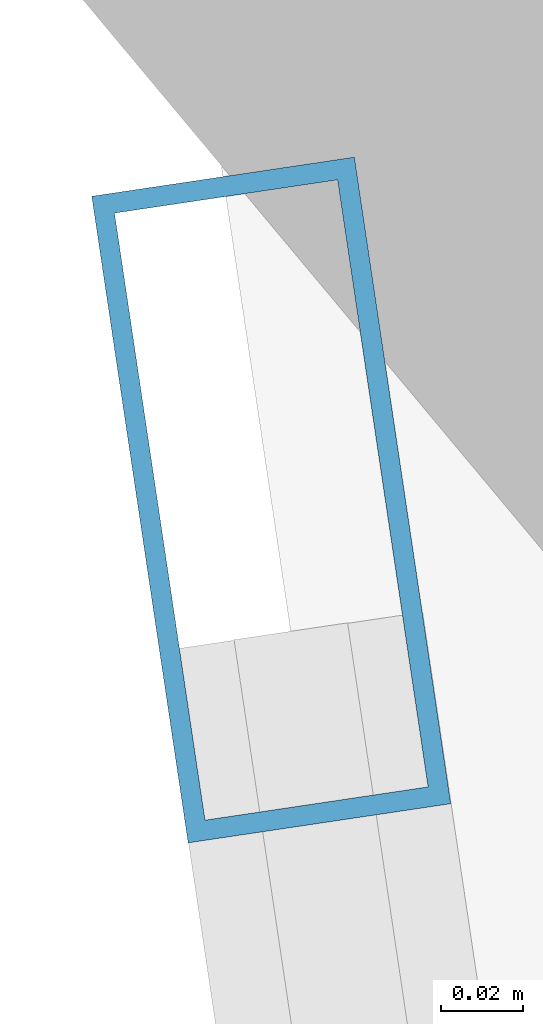
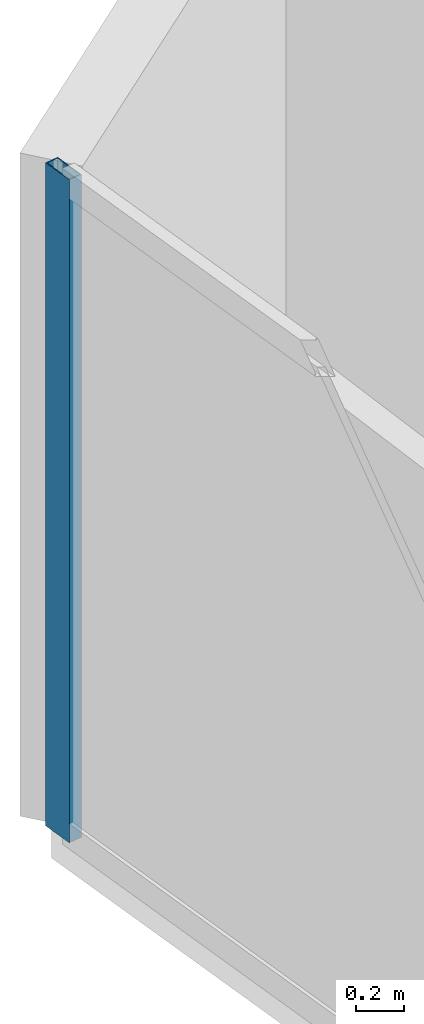
# One storey, part 11 of 22: 1 member, 1 element without a shape of its own.
"""IFC4 building model written with IfcOpenShell, lengths in metres."""

from ifc_helpers import new_model, si_unit, direction, frame, origin, origin_2d, place, context, subcontext, project, spatial, hollow_rectangle, extrude, material, layer, layer_set, material_profile, profile_set, type_object, element, aggregate, save


model = new_model("IFC4")

# Units and contexts
model_context = context("Model", 3, precision=1e-05, world=origin(), true_north=direction((0.0, 1.0)))
body_context = subcontext(model_context, "Body", "Model", "MODEL_VIEW")
ifc_project = project(units=[si_unit("LENGTHUNIT", "METRE"), si_unit("AREAUNIT", "SQUARE_METRE"), si_unit("VOLUMEUNIT", "CUBIC_METRE"), si_unit("PLANEANGLEUNIT", "RADIAN"), si_unit("MASSUNIT", "GRAM", prefix="KILO")], contexts=[model_context])

# Site, building, storey
site_placement = place(None, origin())
site = spatial("IfcSite", under=ifc_project, at=site_placement, CompositionType="ELEMENT")
building_placement = place(site_placement, origin())
building = spatial("IfcBuilding", under=site, at=building_placement, Name="Qianvela Tower", CompositionType="ELEMENT")
storey_placement = place(building_placement, frame((0.0, 0.0, 180.89990234375)))
storey = spatial("IfcBuildingStorey", under=building, at=storey_placement, Name="L46", CompositionType="ELEMENT", Elevation=180.89990234375)

# Curtain wall, member
ifc_material_1 = material(Name="Anodised Architectural Aluminium and Low-E Glass", Category="aluminium")
ifc_layer = layer(ifc_material_1, 0.169921875)
ifc_layer_set = layer_set([ifc_layer], Name="Anodised Architectural Aluminium and Low-E Glass")
curtain_wall_type = type_object("IfcCurtainWallType", Name="CW-COLIV-Z34", PredefinedType="USERDEFINED", material=ifc_layer_set)
curtain_wall_placement = place(storey_placement, origin())
curtain_wall = element("IfcCurtainWall", 1, at=curtain_wall_placement, inside=storey, type_object=curtain_wall_type, Name="L46 CW-COLIV-Z34 Curtain Wall 04A", ObjectType="CURTAIN_WALL_SYSTEM", PredefinedType="USERDEFINED")
ifc_material_2 = material(Name="Anodised Architectural Aluminium 6063-T6", Category="aluminium")
ifc_material_profile = material_profile(ifc_material_2, hollow_rectangle(XDim=0.06494140625, YDim=0.159912109375, WallThickness=0.0048828125, at=origin_2d()), Name="ALU-MULL-65x160")
ifc_profile_set = profile_set([ifc_material_profile], Name="Anodised Architectural Aluminium 6063-T6")
member_type = type_object("IfcMemberType", Name="CW-COLIV-Z34-MULL", PredefinedType="MULLION", material=ifc_profile_set)
member_placement = place(storey_placement, frame((20.346923828125, 36.31298828125, 0.0), z_axis=(0.0, 0.0, 1.0), x_axis=(0.98906824307, 0.147458504505, 0.0)))
member = element("IfcMember", 2, at=member_placement, type_object=member_type, Name="CW-4 mullion 1", PredefinedType="MULLION", context=body_context, shape_type="SweptSolid", body=[
    extrude(hollow_rectangle(XDim=0.06494140625, YDim=0.159912109375, WallThickness=0.0048828125, at=origin_2d()), origin(), (0.0, 0.0, 1.0), 3.400146484375),
])
aggregate(curtain_wall, [member])

save(model, "model.ifc")
